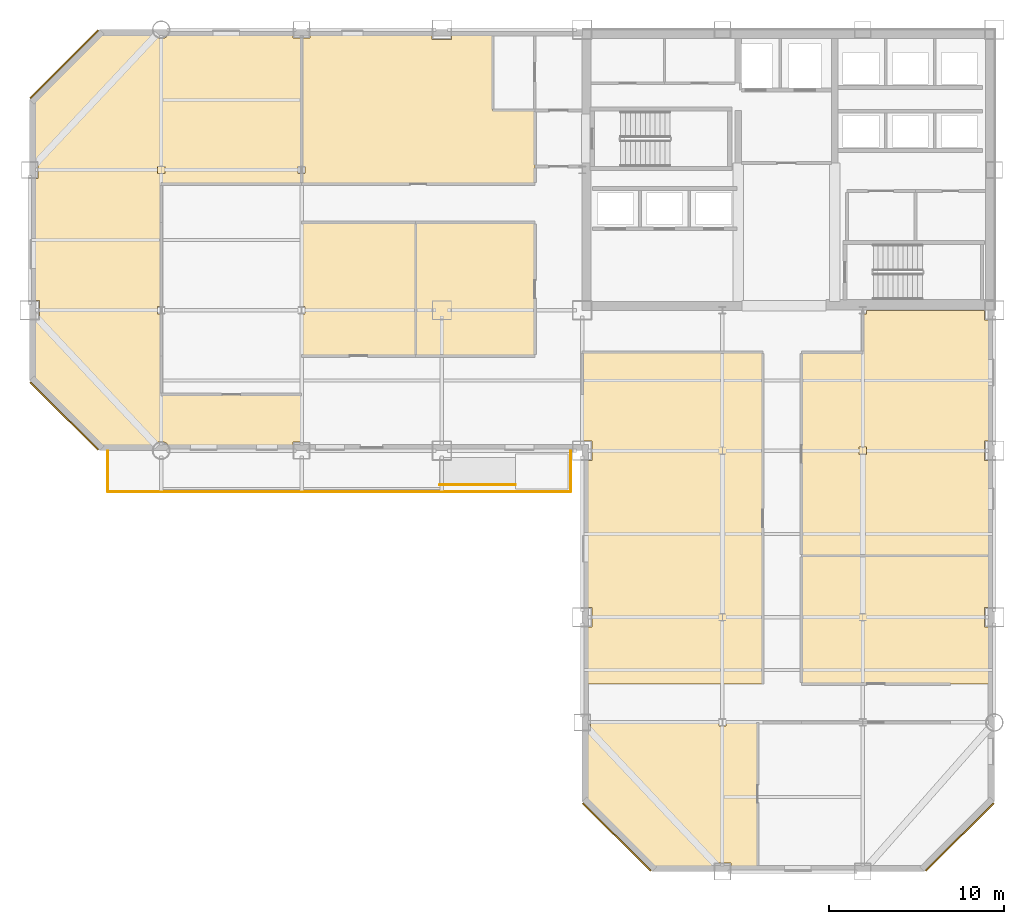
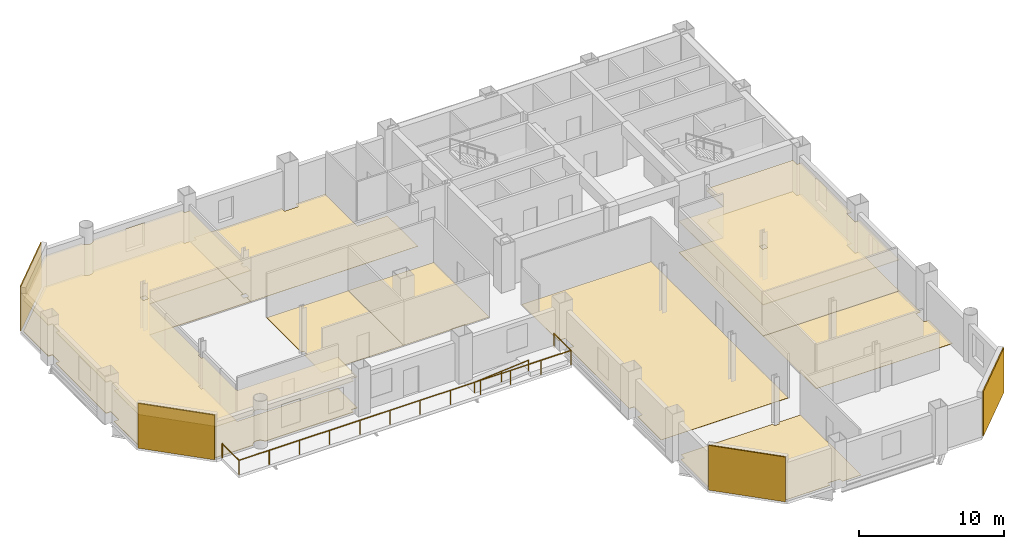
# One storey, part 9 of 10: 14 coverings, 2 railings.
"""IFC4 building model written with IfcOpenShell, lengths in metres."""

from ifc_helpers import new_model, si_unit, direction, frame, origin, origin_2d, place, context, subcontext, project, spatial, polyline, rectangle, circle, outline, extrude, material, layer, layer_set, type_object, element, save


model = new_model("IFC4")

# Units and contexts
model_context = context("Model", 3, precision=1e-05, world=origin(), true_north=direction((0.0, 1.0)))
body_context = subcontext(model_context, "Body", "Model", "MODEL_VIEW")
ifc_project = project(units=[si_unit("LENGTHUNIT", "METRE"), si_unit("AREAUNIT", "SQUARE_METRE"), si_unit("VOLUMEUNIT", "CUBIC_METRE"), si_unit("PLANEANGLEUNIT", "RADIAN"), si_unit("MASSUNIT", "GRAM", prefix="KILO")], contexts=[model_context])

# Site, building, storey
site_placement = place(None, origin())
site = spatial("IfcSite", under=ifc_project, at=site_placement, CompositionType="ELEMENT")
building_placement = place(site_placement, origin())
building = spatial("IfcBuilding", under=site, at=building_placement, Name="Qianrong Seaharbour Tower", CompositionType="ELEMENT")
storey_placement = place(building_placement, frame((0.0, 0.0, 151.0)))
storey = spatial("IfcBuildingStorey", under=building, at=storey_placement, Name="L36", CompositionType="ELEMENT", Elevation=151.0)

# Coverings
ifc_material_1 = material(Name="Mineral fibre acoustic suspended ceiling board")
ifc_layer_1 = layer(ifc_material_1, 0.0400390625)
ifc_layer_set_1 = layer_set([ifc_layer_1], Name="Mineral fibre acoustic suspended ceiling board")
covering_type_1 = type_object("IfcCoveringType", Name="COV-CEIL-ACOUSTIC-40", PredefinedType="CEILING", material=ifc_layer_set_1)
covering_1_placement = place(storey_placement, frame((0.0, 0.0, 2.60498046875)))
element("IfcCovering", 1, at=covering_1_placement, inside=storey, type_object=covering_type_1, Name="L36 West Harbour Open-Plan Office Acoustic Ceiling", PredefinedType="CEILING", context=body_context, shape_type="SweptSolid", body=[
    extrude(outline(polyline([(9.175048828125, 32.072509765625), (9.175048828125, 35.43994140625), (9.56005859375, 35.43994140625), (9.56005859375, 36.56005859375), (9.175048828125, 36.56005859375), (9.175048828125, 43.514892578125), (9.485107421875, 43.514892578125), (9.485107421875, 44.485107421875), (9.175048828125, 44.485107421875), (9.175048828125, 47.927490234375), (13.072509765625, 51.824951171875), (16.022705078125, 51.824951171875), (16.02880859375, 51.8046875), (16.075927734375, 51.716796875), (16.139404296875, 51.639404296875), (16.216796875, 51.575927734375), (16.3046875, 51.52880859375), (16.400390625, 51.499755859375), (16.5, 51.489990234375), (16.599609375, 51.499755859375), (16.6953125, 51.52880859375), (16.783203125, 51.575927734375), (16.860595703125, 51.639404296875), (16.924072265625, 51.716796875), (16.97119140625, 51.8046875), (16.977294921875, 51.824951171875), (24.014892578125, 51.824951171875), (24.014892578125, 51.514892578125), (24.5, 51.514892578125), (24.5, 44.2099609375), (24.2900390625, 44.2099609375), (24.2900390625, 43.7900390625), (24.5, 43.7900390625), (24.5, 43.199951171875), (16.5, 43.199951171875), (16.5, 36.2099609375), (16.2900390625, 36.2099609375), (16.2900390625, 35.7900390625), (16.5, 35.7900390625), (16.5, 31.199951171875), (24.5, 31.199951171875), (24.5, 28.485107421875), (24.014892578125, 28.485107421875), (24.014892578125, 28.175048828125), (16.977294921875, 28.175048828125), (16.97119140625, 28.1953125), (16.924072265625, 28.283203125), (16.860595703125, 28.360595703125), (16.783203125, 28.424072265625), (16.6953125, 28.47119140625), (16.599609375, 28.500244140625), (16.5, 28.510009765625), (16.400390625, 28.500244140625), (16.3046875, 28.47119140625), (16.216796875, 28.424072265625), (16.139404296875, 28.360595703125), (16.075927734375, 28.283203125), (16.02880859375, 28.1953125), (16.022705078125, 28.175048828125), (13.072509765625, 28.175048828125), (9.175048828125, 32.072509765625)]), holes=[polyline([(16.7099609375, 43.7900390625), (16.7099609375, 44.2099609375), (16.2900390625, 44.2099609375), (16.2900390625, 43.7900390625), (16.7099609375, 43.7900390625)])]), origin(), (0.0, 0.0, 1.0), 0.0400390625),
])
ifc_material_2 = material(Name="Perforated acoustic gypsum ceiling board")
ifc_layer_2 = layer(ifc_material_2, 0.050048828125)
ifc_layer_set_2 = layer_set([ifc_layer_2], Name="Perforated acoustic gypsum ceiling board")
covering_type_2 = type_object("IfcCoveringType", Name="COV-CEIL-GYPSUM-50", PredefinedType="CEILING", material=ifc_layer_set_2)
covering_2_placement = place(storey_placement, frame((0.0, 0.0, 2.594970703125)))
element("IfcCovering", 2, at=covering_2_placement, inside=storey, type_object=covering_type_2, Name="L36 Staff Club Assembly Hall Acoustic Ceiling", PredefinedType="CEILING", context=body_context, shape_type="SweptSolid", body=[
    extrude(outline(polyline([(56.5, 33.60009765625), (56.5, 35.7900390625), (56.7099609375, 35.7900390625), (56.7099609375, 36.0), (63.43994140625, 36.0), (63.43994140625, 35.43994140625), (63.824951171875, 35.43994140625), (63.824951171875, 28.56005859375), (63.43994140625, 28.56005859375), (63.43994140625, 27.43994140625), (63.824951171875, 27.43994140625), (63.824951171875, 22.0), (53.0, 22.0), (53.0, 33.60009765625), (56.5, 33.60009765625)]), holes=[polyline([(56.7099609375, 27.7900390625), (56.7099609375, 28.2099609375), (56.2900390625, 28.2099609375), (56.2900390625, 27.7900390625), (56.7099609375, 27.7900390625)])]), origin(), (0.0, 0.0, 1.0), 0.050048828125),
])
ifc_material_3 = material(Name="Unitised red brick cladding on Precast concrete C45/55", Category="masonry")
ifc_layer_3 = layer(ifc_material_3, 0.080078125)
ifc_layer_set_3 = layer_set([ifc_layer_3], Name="Unitised red brick cladding on Precast concrete C45/55")
covering_type_3 = type_object("IfcCoveringType", Name="COV-CLAD-RED-BRICK-80", PredefinedType="CLADDING", material=ifc_layer_set_3)
for number, where, z_axis, x_axis, name in (
    (3, (10.9716796875, 29.9716796875, 0.0), (0.0, 0.0, 1.0), (-0.707106781187, 0.707106781187, 0.0), "L36 Chamfer Corner Brick Cladding 02"),
    (4, (10.9716796875, 50.0283203125, 0.0), (0.0, 0.0, 1.0), (0.707106781187, 0.707106781187, 0.0), "L36 Chamfer Corner Brick Cladding 04"),
    (5, (62.0283203125, 5.9716796875, 0.0), (0.0, 0.0, 1.0), (-0.707106781187, -0.707106781187, 0.0), "L36 Chamfer Corner Brick Cladding 07"),
    (6, (42.4716796875, 5.9716796875, 0.0), (0.0, 0.0, 1.0), (-0.707106781187, 0.707106781187, 0.0), "L36 Chamfer Corner Brick Cladding 09"),
):
    element("IfcCovering", number, at=place(storey_placement, frame(where, z_axis=z_axis, x_axis=x_axis)), inside=storey, type_object=covering_type_3, Name=name, PredefinedType="CLADDING", context=body_context, shape_type="SweptSolid", body=[
        extrude(rectangle(XDim=5.456787109375, YDim=0.080078125, at=origin_2d()), origin(), (0.0, 0.0, 1.0), 3.764892578125),
    ])
ifc_material_4 = material(Name="Acoustic modular carpet tile flooring")
ifc_layer_4 = layer(ifc_material_4, 0.02001953125)
ifc_layer_set_4 = layer_set([ifc_layer_4], Name="Acoustic modular carpet tile flooring")
covering_type_4 = type_object("IfcCoveringType", Name="COV-FLOOR-CARPET-20", PredefinedType="FLOORING", material=ifc_layer_set_4)
covering_3_placement = place(storey_placement, origin())
element("IfcCovering", 7, at=covering_3_placement, inside=storey, type_object=covering_type_4, Name="L36 Corporate Archive Room Finish Flooring", PredefinedType="FLOORING", context=body_context, shape_type="SweptSolid", body=[
    extrude(outline(polyline([(24.5, 43.7900390625), (24.7099609375, 43.7900390625), (24.7099609375, 44.2099609375), (24.5, 44.2099609375), (24.5, 51.514892578125), (24.985107421875, 51.514892578125), (24.985107421875, 51.824951171875), (31.93994140625, 51.824951171875), (31.93994140625, 51.43994140625), (33.06005859375, 51.43994140625), (33.06005859375, 51.824951171875), (35.39990234375, 51.824951171875), (35.39990234375, 47.39990234375), (37.800048828125, 47.39990234375), (37.800048828125, 43.199951171875), (24.5, 43.199951171875), (24.5, 43.7900390625)])), origin(), (0.0, 0.0, 1.0), 0.02001953125),
])
covering_4_placement = place(storey_placement, origin())
element("IfcCovering", 8, at=covering_4_placement, inside=storey, type_object=covering_type_4, Name="L36 Project Library 1 Finish Flooring", PredefinedType="FLOORING", context=body_context, shape_type="SweptSolid", body=[
    extrude(outline(polyline([(24.5, 33.39990234375), (24.5, 35.7900390625), (24.7099609375, 35.7900390625), (24.7099609375, 36.2099609375), (24.5, 36.2099609375), (24.5, 41.0), (31.0, 41.0), (31.0, 33.39990234375), (24.5, 33.39990234375)])), origin(), (0.0, 0.0, 1.0), 0.02001953125),
])
covering_5_placement = place(storey_placement, origin())
element("IfcCovering", 9, at=covering_5_placement, inside=storey, type_object=covering_type_4, Name="L36 Digital Media Hall 2 Finish Flooring", PredefinedType="FLOORING", context=body_context, shape_type="SweptSolid", body=[
    extrude(outline(polyline([(31.0, 33.39990234375), (31.0, 41.0), (37.800048828125, 41.0), (37.800048828125, 33.39990234375), (31.0, 33.39990234375)])), origin(), (0.0, 0.0, 1.0), 0.02001953125),
])
covering_6_placement = place(storey_placement, origin())
element("IfcCovering", 10, at=covering_6_placement, inside=storey, type_object=covering_type_4, Name="L36 Staff Club Assembly Hall Finish Flooring", PredefinedType="FLOORING", context=body_context, shape_type="SweptSolid", body=[
    extrude(outline(polyline([(56.5, 33.60009765625), (56.5, 35.7900390625), (56.7099609375, 35.7900390625), (56.7099609375, 36.0), (63.43994140625, 36.0), (63.43994140625, 35.43994140625), (63.824951171875, 35.43994140625), (63.824951171875, 28.56005859375), (63.43994140625, 28.56005859375), (63.43994140625, 27.43994140625), (63.824951171875, 27.43994140625), (63.824951171875, 22.0), (53.0, 22.0), (53.0, 33.60009765625), (56.5, 33.60009765625)])), origin(), (0.0, 0.0, 1.0), 0.02001953125),
])
covering_7_placement = place(storey_placement, origin())
element("IfcCovering", 11, at=covering_7_placement, inside=storey, type_object=covering_type_4, Name="L36 Focus Room 1 Finish Flooring", PredefinedType="FLOORING", context=body_context, shape_type="SweptSolid", body=[
    extrude(outline(polyline([(63.824951171875, 22.0), (63.824951171875, 19.06005859375), (63.43994140625, 19.06005859375), (63.43994140625, 17.93994140625), (63.824951171875, 17.93994140625), (63.824951171875, 14.699951171875), (53.0, 14.699951171875), (53.0, 22.0), (63.824951171875, 22.0)])), origin(), (0.0, 0.0, 1.0), 0.02001953125),
])
covering_8_placement = place(storey_placement, origin())
element("IfcCovering", 12, at=covering_8_placement, inside=storey, type_object=covering_type_4, Name="L36 Wet Pantry Finish Flooring", PredefinedType="FLOORING", context=body_context, shape_type="SweptSolid", body=[
    extrude(outline(polyline([(50.800048828125, 14.699951171875), (40.675048828125, 14.699951171875), (40.675048828125, 17.93994140625), (41.06005859375, 17.93994140625), (41.06005859375, 19.06005859375), (40.675048828125, 19.06005859375), (40.675048828125, 27.43994140625), (41.06005859375, 27.43994140625), (41.06005859375, 28.56005859375), (40.5, 28.56005859375), (40.5, 33.60009765625), (50.800048828125, 33.60009765625), (50.800048828125, 14.699951171875)])), origin(), (0.0, 0.0, 1.0), 0.02001953125),
])
covering_9_placement = place(storey_placement, origin())
element("IfcCovering", 13, at=covering_9_placement, inside=storey, type_object=covering_type_4, Name="L36 Harbour Symposium Hall 1 Finish Flooring", PredefinedType="FLOORING", context=body_context, shape_type="SweptSolid", body=[
    extrude(outline(polyline([(48.985107421875, 4.175048828125), (48.985107421875, 4.485107421875), (48.014892578125, 4.485107421875), (48.014892578125, 4.175048828125), (44.572509765625, 4.175048828125), (40.675048828125, 8.072509765625), (40.675048828125, 12.014892578125), (40.985107421875, 12.014892578125), (40.985107421875, 12.5), (48.2900390625, 12.5), (48.2900390625, 12.2900390625), (48.7099609375, 12.2900390625), (48.7099609375, 12.5), (50.5, 12.5), (50.5, 4.175048828125), (48.985107421875, 4.175048828125)])), origin(), (0.0, 0.0, 1.0), 0.02001953125),
])
ifc_material_5 = material(Name="Calcium-sulphate raised access floor tile")
ifc_layer_5 = layer(ifc_material_5, 0.044921875)
ifc_layer_set_5 = layer_set([ifc_layer_5], Name="Calcium-sulphate raised access floor tile")
covering_type_5 = type_object("IfcCoveringType", Name="COV-FLOOR-RAISED-45", PredefinedType="FLOORING", material=ifc_layer_set_5)
covering_10_placement = place(storey_placement, origin())
element("IfcCovering", 14, at=covering_10_placement, inside=storey, type_object=covering_type_5, Name="L36 West Harbour Open-Plan Office Finish Flooring", PredefinedType="FLOORING", context=body_context, shape_type="SweptSolid", body=[
    extrude(outline(polyline([(9.175048828125, 32.072509765625), (9.175048828125, 35.43994140625), (9.56005859375, 35.43994140625), (9.56005859375, 36.56005859375), (9.175048828125, 36.56005859375), (9.175048828125, 43.514892578125), (9.485107421875, 43.514892578125), (9.485107421875, 44.485107421875), (9.175048828125, 44.485107421875), (9.175048828125, 47.927490234375), (13.072509765625, 51.824951171875), (16.022705078125, 51.824951171875), (16.02880859375, 51.8046875), (16.075927734375, 51.716796875), (16.139404296875, 51.639404296875), (16.216796875, 51.575927734375), (16.3046875, 51.52880859375), (16.400390625, 51.499755859375), (16.5, 51.489990234375), (16.599609375, 51.499755859375), (16.6953125, 51.52880859375), (16.783203125, 51.575927734375), (16.860595703125, 51.639404296875), (16.924072265625, 51.716796875), (16.97119140625, 51.8046875), (16.977294921875, 51.824951171875), (24.014892578125, 51.824951171875), (24.014892578125, 51.514892578125), (24.5, 51.514892578125), (24.5, 44.2099609375), (24.2900390625, 44.2099609375), (24.2900390625, 43.7900390625), (24.5, 43.7900390625), (24.5, 43.199951171875), (16.5, 43.199951171875), (16.5, 36.2099609375), (16.2900390625, 36.2099609375), (16.2900390625, 35.7900390625), (16.5, 35.7900390625), (16.5, 31.199951171875), (24.5, 31.199951171875), (24.5, 28.485107421875), (24.014892578125, 28.485107421875), (24.014892578125, 28.175048828125), (16.977294921875, 28.175048828125), (16.97119140625, 28.1953125), (16.924072265625, 28.283203125), (16.860595703125, 28.360595703125), (16.783203125, 28.424072265625), (16.6953125, 28.47119140625), (16.599609375, 28.500244140625), (16.5, 28.510009765625), (16.400390625, 28.500244140625), (16.3046875, 28.47119140625), (16.216796875, 28.424072265625), (16.139404296875, 28.360595703125), (16.075927734375, 28.283203125), (16.02880859375, 28.1953125), (16.022705078125, 28.175048828125), (13.072509765625, 28.175048828125), (9.175048828125, 32.072509765625)])), origin(), (0.0, 0.0, 1.0), 0.044921875),
])

# Railings
ifc_material_6 = material(Name="Stainless steel SUS316L tubular handrail", Category="steel")
railing_type_1 = type_object("IfcRailingType", Name="RAIL-RAMP-HANDRAIL-900", PredefinedType="HANDRAIL", material=ifc_material_6)
railing_1_placement = place(storey_placement, frame((32.3798828125, 26.050048828125, 0.0)))
element("IfcRailing", 15, at=railing_1_placement, inside=storey, type_object=railing_type_1, Name="L36 Harbourfront Ribbon Ramp Handrail", PredefinedType="HANDRAIL", context=body_context, shape_type="SweptSolid", body=[
    extrude(circle(Radius=0.02392578125, at=origin_2d()), frame((0.0, 0.0, 0.8759765625), z_axis=(0.996543815979, 0.0, 0.083068783756), x_axis=(0.0, 1.0, 0.0)), (0.0, 0.0, 1.0), 4.3349609375),
    extrude(circle(Radius=0.02099609375, at=origin_2d()), origin(), (0.0, 0.0, 1.0), 0.851806640625),
    extrude(circle(Radius=0.02099609375, at=origin_2d()), frame((2.16015625, 0.0, 0.18017578125)), (0.0, 0.0, 1.0), 0.851806640625),
    extrude(circle(Radius=0.02099609375, at=origin_2d()), frame((4.320068359375, 0.0, 0.360107421875)), (0.0, 0.0, 1.0), 0.851806640625),
])
ifc_material_7 = material(Name="Stainless steel SUS316L and laminated safety glass balustrade", Category="steel")
railing_type_2 = type_object("IfcRailingType", Name="RAIL-TERRACE-GUARD-1220", PredefinedType="GUARDRAIL", material=ifc_material_7)
railing_2_placement = place(storey_placement, frame((13.4599609375, 27.97998046875, 0.0)))
element("IfcRailing", 16, at=railing_2_placement, inside=storey, type_object=railing_type_2, Name="L36 Harbourfront Ribbon Gallery Guardrail", PredefinedType="GUARDRAIL", context=body_context, shape_type="SweptSolid", body=[
    extrude(circle(Radius=0.02392578125, at=origin_2d()), frame((0.0, 0.0, 1.19580078125), z_axis=(0.0, -1.0, 0.0), x_axis=(1.0, 0.0, 0.0)), (0.0, 0.0, 1.0), 2.320068359375),
    extrude(circle(Radius=0.02392578125, at=origin_2d()), frame((0.0, -2.320068359375, 1.19580078125), z_axis=(1.0, 0.0, 0.0), x_axis=(0.0, 1.0, 0.0)), (0.0, 0.0, 1.0), 26.380126953125),
    extrude(circle(Radius=0.02392578125, at=origin_2d()), frame((26.380126953125, -2.320068359375, 1.19580078125), z_axis=(0.0, 1.0, 0.0), x_axis=(-1.0, 0.0, 0.0)), (0.0, 0.0, 1.0), 2.320068359375),
    extrude(circle(Radius=0.02099609375, at=origin_2d()), origin(), (0.0, 0.0, 1.0), 1.171875),
    extrude(circle(Radius=0.02099609375, at=origin_2d()), frame((0.0, -2.320068359375, 0.0)), (0.0, 0.0, 1.0), 1.171875),
    extrude(circle(Radius=0.02099609375, at=origin_2d()), frame((2.398193359375, -2.320068359375, 0.0)), (0.0, 0.0, 1.0), 1.171875),
    extrude(circle(Radius=0.02099609375, at=origin_2d()), frame((4.79638671875, -2.320068359375, 0.0)), (0.0, 0.0, 1.0), 1.171875),
    extrude(circle(Radius=0.02099609375, at=origin_2d()), frame((7.194580078125, -2.320068359375, 0.0)), (0.0, 0.0, 1.0), 1.171875),
    extrude(circle(Radius=0.02099609375, at=origin_2d()), frame((9.5927734375, -2.320068359375, 0.0)), (0.0, 0.0, 1.0), 1.171875),
    extrude(circle(Radius=0.02099609375, at=origin_2d()), frame((11.990966796875, -2.320068359375, 0.0)), (0.0, 0.0, 1.0), 1.171875),
    extrude(circle(Radius=0.02099609375, at=origin_2d()), frame((14.38916015625, -2.320068359375, 0.0)), (0.0, 0.0, 1.0), 1.171875),
    extrude(circle(Radius=0.02099609375, at=origin_2d()), frame((16.787353515625, -2.320068359375, 0.0)), (0.0, 0.0, 1.0), 1.171875),
    extrude(circle(Radius=0.02099609375, at=origin_2d()), frame((19.185546875, -2.320068359375, 0.0)), (0.0, 0.0, 1.0), 1.171875),
    extrude(circle(Radius=0.02099609375, at=origin_2d()), frame((21.583740234375, -2.320068359375, 0.0)), (0.0, 0.0, 1.0), 1.171875),
    extrude(circle(Radius=0.02099609375, at=origin_2d()), frame((23.98193359375, -2.320068359375, 0.0)), (0.0, 0.0, 1.0), 1.171875),
    extrude(circle(Radius=0.02099609375, at=origin_2d()), frame((26.380126953125, -2.320068359375, 0.0)), (0.0, 0.0, 1.0), 1.171875),
    extrude(circle(Radius=0.02099609375, at=origin_2d()), frame((26.380126953125, 0.0, 0.0)), (0.0, 0.0, 1.0), 1.171875),
])

save(model, "model.ifc")
